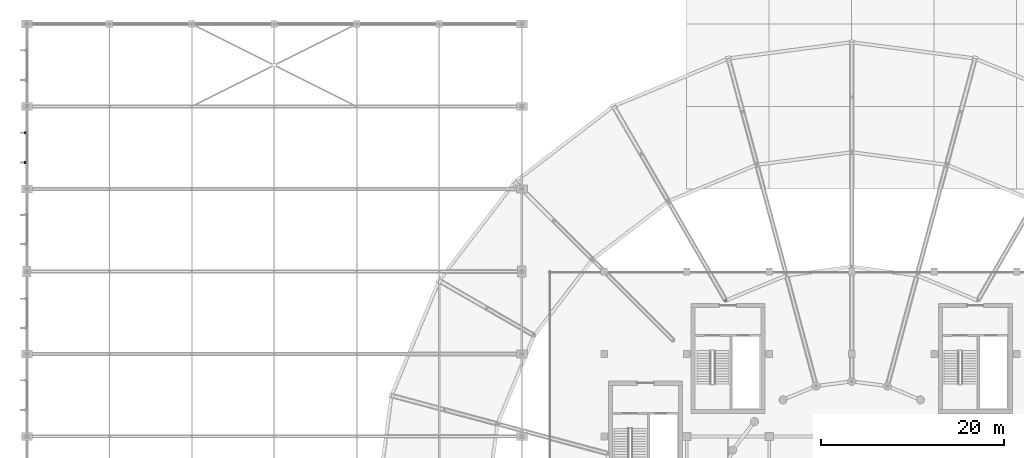
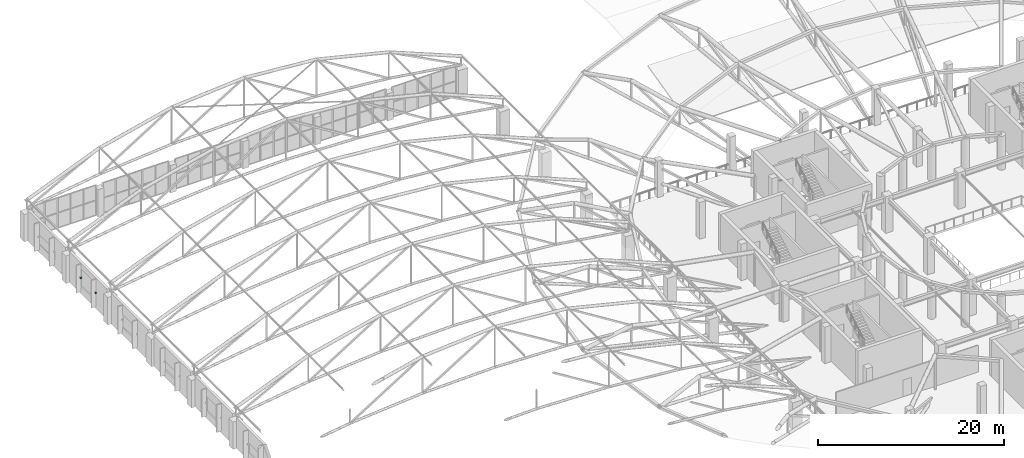
# One storey, part 148 of 167: 4 discrete accessories.
"""IFC4 building model written with IfcOpenShell, lengths in metres."""

from ifc_helpers import new_model, si_unit, direction, frame, origin, origin_2d, place, context, subcontext, project, spatial, rectangle, extrude, material, layer, layer_set, type_object, element, save


model = new_model("IFC4")

# Units and contexts
model_context = context("Model", 3, precision=1e-05, world=origin(), true_north=direction((0.0, 1.0)))
body_context = subcontext(model_context, "Body", "Model", "MODEL_VIEW")
ifc_project = project(units=[si_unit("LENGTHUNIT", "METRE"), si_unit("AREAUNIT", "SQUARE_METRE"), si_unit("VOLUMEUNIT", "CUBIC_METRE"), si_unit("PLANEANGLEUNIT", "RADIAN"), si_unit("MASSUNIT", "GRAM", prefix="KILO")], contexts=[model_context])

# Site, building, storey
site_placement = place(None, origin())
site = spatial("IfcSite", under=ifc_project, at=site_placement, CompositionType="ELEMENT")
building_placement = place(site_placement, origin())
building = spatial("IfcBuilding", under=site, at=building_placement, Name="Dornveld Trade and Exhibition Forum", CompositionType="ELEMENT")
storey_placement = place(building_placement, frame((0.0, 0.0, 16.800048828125)))
storey = spatial("IfcBuildingStorey", under=building, at=storey_placement, Name="L03", CompositionType="ELEMENT", Elevation=16.800048828125)

# Discrete accessories
ifc_material_1 = material(Name="Steel S355J2", Category="steel")
ifc_layer_1 = layer(ifc_material_1, 0.179931640625)
ifc_layer_set_1 = layer_set([ifc_layer_1], Name="Steel S355J2")
discrete_accessory_type_1 = type_object("IfcDiscreteAccessoryType", Name="ACC-BRK-STL", PredefinedType="BRACKET", material=ifc_layer_set_1)
for number, where, z_axis, x_axis, name in (
    (1, (26.804931640625, 123.1201171875, 2.02001953125), (0.0, 0.0, 1.0), (0.0, -1.0, 0.0), "L03 solar fin bracket 91"),
    (2, (26.804931640625, 119.8798828125, 2.02001953125), (0.0, 0.0, 1.0), (0.0, -1.0, 0.0), "L03 solar fin bracket 92"),
):
    element("IfcDiscreteAccessory", number, at=place(storey_placement, frame(where, z_axis=z_axis, x_axis=x_axis)), inside=storey, type_object=discrete_accessory_type_1, Name=name, PredefinedType="BRACKET", context=body_context, shape_type="SweptSolid", body=[
        extrude(rectangle(XDim=0.239990234375, YDim=0.199951171875, at=origin_2d()), origin(), (0.0, 0.0, 1.0), 0.179931640625),
    ])
ifc_material_2 = material(Name="Steel S355J2", Category="steel")
ifc_layer_2 = layer(ifc_material_2, 0.035888671875)
ifc_layer_set_2 = layer_set([ifc_layer_2], Name="Steel S355J2")
discrete_accessory_type_2 = type_object("IfcDiscreteAccessoryType", Name="ACC-CORE-EMB", PredefinedType="BRACKET", material=ifc_layer_set_2)
for number, where, z_axis, x_axis, name in (
    (3, (103.25, 104.815673828125, 4.43212890625), (0.0, 0.0, 1.0), (1.0, 0.0, 0.0), "Core wall cast-in steel embed plate 7"),
    (4, (103.25, 104.815673828125, -0.7802734375), (0.0, 0.0, 1.0), (1.0, 0.0, 0.0), "Core wall cast-in steel embed plate 8"),
):
    element("IfcDiscreteAccessory", number, at=place(storey_placement, frame(where, z_axis=z_axis, x_axis=x_axis)), inside=storey, type_object=discrete_accessory_type_2, Name=name, PredefinedType="BRACKET", context=body_context, shape_type="SweptSolid", body=[
        extrude(rectangle(XDim=0.280029296875, YDim=0.280029296875, at=origin_2d()), origin(), (0.0, 0.0, 1.0), 0.035888671875),
    ])

save(model, "model.ifc")
